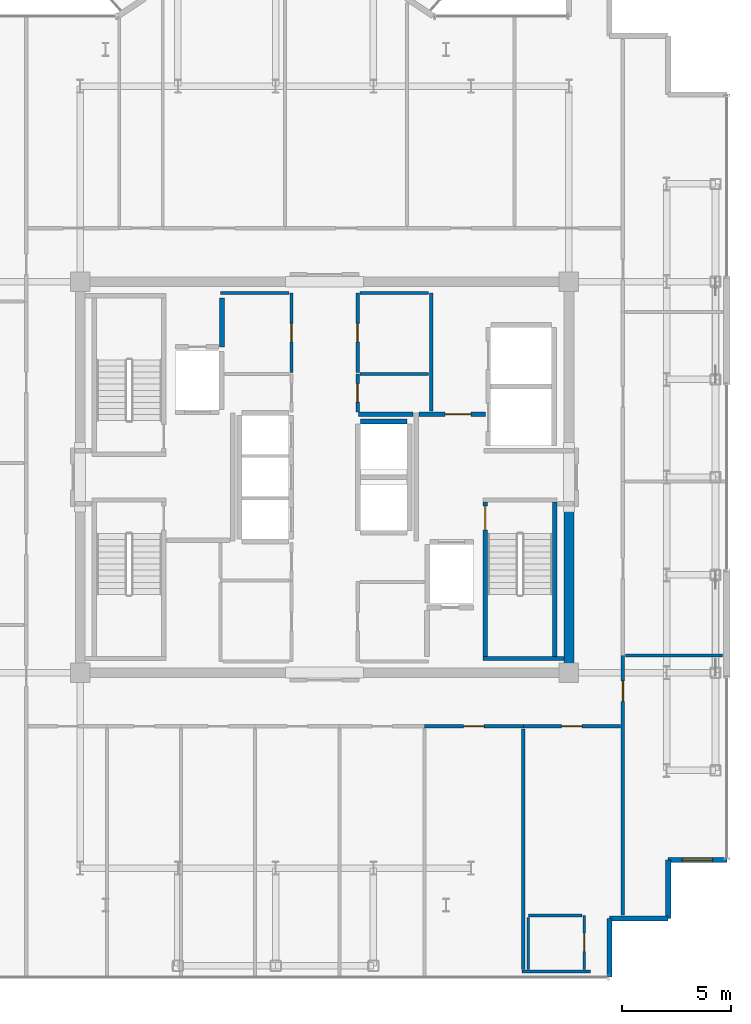
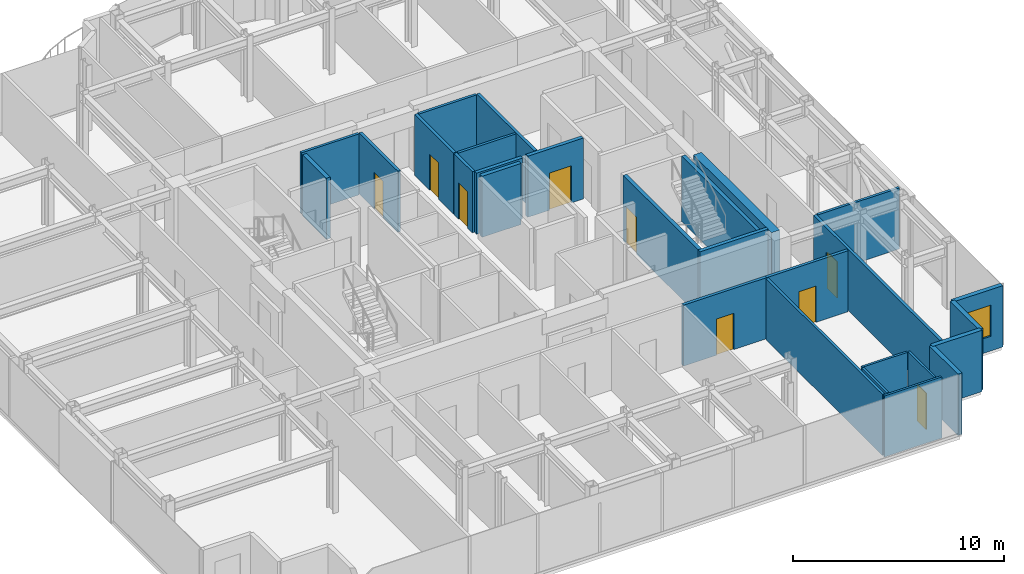
# One storey, part 13 of 16: 28 walls, 9 doors, 1 window, 10 openings.
"""IFC4 building model written with IfcOpenShell, lengths in metres."""

from ifc_helpers import new_model, si_unit, direction, frame, frame_2d, origin, place, context, subcontext, project, spatial, rectangle, extrude, source, transform, mapped, material, layer, layer_set, type_object, element, fill, save


model = new_model("IFC4")

# Units and contexts
model_context = context("Model", 3, precision=1e-05, world=origin(), true_north=direction((0.0, 1.0)))
body_context = subcontext(model_context, "Body", "Model", "MODEL_VIEW")
ifc_project = project(units=[si_unit("LENGTHUNIT", "METRE"), si_unit("AREAUNIT", "SQUARE_METRE"), si_unit("VOLUMEUNIT", "CUBIC_METRE"), si_unit("PLANEANGLEUNIT", "RADIAN"), si_unit("MASSUNIT", "GRAM", prefix="KILO")], contexts=[model_context])

# Site, building, storey
site_placement = place(None, origin())
site = spatial("IfcSite", under=ifc_project, at=site_placement, CompositionType="ELEMENT")
building_placement = place(site_placement, origin())
building = spatial("IfcBuilding", under=site, at=building_placement, Name="Nefas-Gora Pilgrimage Tower", CompositionType="ELEMENT")
storey_placement = place(building_placement, frame((0.0, 0.0, 310.199951171875)))
storey = spatial("IfcBuildingStorey", under=building, at=storey_placement, Name="L78", CompositionType="ELEMENT", Elevation=310.199951171875)

# Wall
ifc_material_1 = material(Name="Concrete C50/60", Category="concrete")
ifc_layer_1 = layer(ifc_material_1, 0.449951171875)
ifc_layer_set_1 = layer_set([ifc_layer_1], Name="Concrete C50/60")
wall_type_1 = type_object("IfcWallType", Name="SW-CORE-450", PredefinedType="SHEAR", material=ifc_layer_set_1)
shared_shape_1 = source(origin(), body_context, "Body", "SweptSolid", [
    extrude(rectangle(XDim=7.4248046875, YDim=0.449951171875, at=frame_2d((3.71240234375, 0.0))), origin(), (0.0, 0.0, 1.0), 3.800048828125),
])
wall_1_placement = place(storey_placement, frame((11.25, -8.77490234375, 0.0), z_axis=(0.0, 0.0, 1.0), x_axis=(0.0, 1.0, 0.0)))
element("IfcWall", 1, at=wall_1_placement, inside=storey, type_object=wall_type_1, Name="L78 Core Shear Wall E-South", PredefinedType="SHEAR", context=body_context, shape_type="MappedRepresentation", body=[
    mapped(shared_shape_1, transform((0.0, 0.0, 0.0), x_axis=(1.0, 0.0, 0.0), y_axis=(0.0, 1.0, 0.0), z_axis=(0.0, 0.0, 1.0), scale=1.0)),
])

# Wall, opening, window
ifc_material_2 = material(Name="Precast concrete C45/55", Category="concrete")
ifc_layer_2 = layer(ifc_material_2, 0.239990234375)
ifc_layer_set_2 = layer_set([ifc_layer_2], Name="Precast concrete C45/55")
wall_type_2 = type_object("IfcWallType", Name="EW-SERR-240", PredefinedType="SHEAR", material=ifc_layer_set_2)
shared_shape_2 = source(origin(), body_context, "Body", "SweptSolid", [
    extrude(rectangle(XDim=2.699951171875, YDim=0.239990234375, at=frame_2d((1.35009765625, 0.0))), origin(), (0.0, 0.0, 1.0), 3.550048828125),
])
wall_2_placement = place(storey_placement, frame((15.820068359375, -17.6201171875, 0.0), z_axis=(0.0, 0.0, 1.0), x_axis=(1.0, 0.0, 0.0)))
wall_2 = element("IfcWall", 2, at=wall_2_placement, inside=storey, type_object=wall_type_2, Name="L78 Serrated Corner Shear Pier Wall 5", PredefinedType="SHEAR", context=body_context, shape_type="MappedRepresentation", body=[
    mapped(shared_shape_2, transform((0.0, 0.0, 0.0), x_axis=(1.0, 0.0, 0.0), y_axis=(0.0, 1.0, 0.0), z_axis=(0.0, 0.0, 1.0), scale=1.0)),
])
opening_1_placement = place(wall_2_placement, frame((0.64990234375, 0.0, 0.85009765625)))
opening_1 = element("IfcOpeningElement", 3, at=opening_1_placement, cuts=wall_2, Name="Opening W-V2", PredefinedType="OPENING", context=body_context, shape_type="SweptSolid", body=[
    extrude(rectangle(XDim=1.39990234375, YDim=1.800048828125, at=frame_2d((0.699951171875, 0.89990234375))), frame((0.0, 0.1298828125, 0.0), z_axis=(0.0, -1.0, 0.0), x_axis=(1.0, 0.0, 0.0)), (0.0, 0.0, 1.0), 0.260009765625),
])
ifc_material_3 = material(Name="Dark ceramic-fritted operable aluminium-glass window", Category="aluminium")
window_type = type_object("IfcWindowType", Name="WIN-VENT-1400x1800", PartitioningType="SINGLE_PANEL", PredefinedType="WINDOW", material=ifc_material_3)
shared_shape_3 = source(origin(), body_context, "Body", "SweptSolid", [
    extrude(rectangle(XDim=1.39990234375, YDim=1.800048828125, at=frame_2d((0.699951171875, 0.89990234375))), frame((0.0, 0.030029296875, 0.0), z_axis=(0.0, -1.0, 0.0), x_axis=(1.0, 0.0, 0.0)), (0.0, 0.0, 1.0), 0.06005859375),
])
window_placement = place(opening_1_placement, origin())
window = element("IfcWindow", 4, at=window_placement, inside=storey, type_object=window_type, Name="L78 Operable Parallel-Outswing Window 5", OverallHeight=1.800048828125, OverallWidth=1.39990234375, PartitioningType="SINGLE_PANEL", PredefinedType="WINDOW", context=body_context, shape_type="MappedRepresentation", body=[
    mapped(shared_shape_3, transform((0.0, 0.0, 0.0), x_axis=(1.0, 0.0, 0.0), y_axis=(0.0, 1.0, 0.0), z_axis=(0.0, 0.0, 1.0), scale=1.0)),
])
fill(opening_1, window)

# Walls
for number, where, z_axis, x_axis, name in (
    (5, (13.1201171875, -23.02001953125, 0.0), (0.0, 0.0, 1.0), (0.0, 1.0, 0.0), "L78 Serrated Corner Shear Pier Wall 29"),
    (6, (13.1201171875, -20.320068359375, 0.0), (0.0, 0.0, 1.0), (1.0, 0.0, 0.0), "L78 Serrated Corner Shear Pier Wall 30"),
    (7, (15.820068359375, -20.320068359375, 0.0), (0.0, 0.0, 1.0), (0.0, 1.0, 0.0), "L78 Serrated Corner Shear Pier Wall 31"),
):
    element("IfcWall", number, at=place(storey_placement, frame(where, z_axis=z_axis, x_axis=x_axis)), inside=storey, type_object=wall_type_2, Name=name, PredefinedType="SHEAR", context=body_context, shape_type="MappedRepresentation", body=[
        mapped(shared_shape_2, transform((0.0, 0.0, 0.0), x_axis=(1.0, 0.0, 0.0), y_axis=(0.0, 1.0, 0.0), z_axis=(0.0, 0.0, 1.0), scale=1.0)),
    ])

# Wall, opening, door
ifc_material_4 = material(Name="Concrete C45/55", Category="concrete")
ifc_layer_3 = layer(ifc_material_4, 0.199951171875)
ifc_layer_set_3 = layer_set([ifc_layer_3], Name="Concrete C45/55")
wall_type_3 = type_object("IfcWallType", Name="IW-STAIR-200", PredefinedType="SOLIDWALL", material=ifc_layer_set_3)
shared_shape_4 = source(origin(), body_context, "Body", "SweptSolid", [
    extrude(rectangle(XDim=7.10009765625, YDim=0.199951171875, at=frame_2d((3.550048828125, 0.0))), origin(), (0.0, 0.0, 1.0), 3.800048828125),
])
wall_3_placement = place(storey_placement, frame((7.39990234375, -1.14990234375, 0.0), z_axis=(0.0, 0.0, 1.0), x_axis=(0.0, -1.0, 0.0)))
wall_3 = element("IfcWall", 8, at=wall_3_placement, inside=storey, type_object=wall_type_3, Name="L78 Stairwell Shear Wall ST-02-left", PredefinedType="SOLIDWALL", context=body_context, shape_type="MappedRepresentation", body=[
    mapped(shared_shape_4, transform((0.0, 0.0, 0.0), x_axis=(1.0, 0.0, 0.0), y_axis=(0.0, 1.0, 0.0), z_axis=(0.0, 0.0, 1.0), scale=1.0)),
])
opening_2_placement = place(wall_3_placement, frame((0.179931640625, 0.0, 0.0)))
opening_2 = element("IfcOpeningElement", 9, at=opening_2_placement, cuts=wall_3, Name="Opening ID-ST1", PredefinedType="OPENING", context=body_context, shape_type="SweptSolid", body=[
    extrude(rectangle(XDim=1.10009765625, YDim=2.14990234375, at=frame_2d((0.550048828125, 1.074951171875))), frame((0.0, 0.10986328125, 0.0), z_axis=(0.0, -1.0, 0.0), x_axis=(1.0, 0.0, 0.0)), (0.0, 0.0, 1.0), 0.219970703125),
])
ifc_material_5 = material(Name="Painted galvanised steel fire stair door", Category="steel")
door_type_1 = type_object("IfcDoorType", Name="DR-INT-STAIR-1100", OperationType="NOTDEFINED", PredefinedType="DOOR", material=ifc_material_5)
shared_shape_5 = source(origin(), body_context, "Body", "SweptSolid", [
    extrude(rectangle(XDim=1.10009765625, YDim=2.14990234375, at=frame_2d((0.550048828125, 1.074951171875))), frame((0.0, 0.02490234375, 0.0), z_axis=(0.0, -1.0, 0.0), x_axis=(1.0, 0.0, 0.0)), (0.0, 0.0, 1.0), 0.050048828125),
])
door_1_placement = place(opening_2_placement, origin())
door_1 = element("IfcDoor", 10, at=door_1_placement, inside=storey, type_object=door_type_1, Name="L78 Protected Exit Stair Door ST-02", OperationType="SINGLE_SWING_LEFT", OverallHeight=2.14990234375, OverallWidth=1.10009765625, PredefinedType="DOOR", context=body_context, shape_type="MappedRepresentation", body=[
    mapped(shared_shape_5, transform((0.0, 0.0, 0.0), x_axis=(1.0, 0.0, 0.0), y_axis=(0.0, 1.0, 0.0), z_axis=(0.0, 0.0, 1.0), scale=1.0)),
])
fill(opening_2, door_1)

# Walls
wall_4_placement = place(storey_placement, frame((10.60009765625, -1.14990234375, 0.0), z_axis=(0.0, 0.0, 1.0), x_axis=(0.0, -1.0, 0.0)))
element("IfcWall", 11, at=wall_4_placement, inside=storey, type_object=wall_type_3, Name="L78 Stairwell Shear Wall ST-02-right", PredefinedType="SOLIDWALL", context=body_context, shape_type="MappedRepresentation", body=[
    mapped(shared_shape_4, transform((0.0, 0.0, 0.0), x_axis=(1.0, 0.0, 0.0), y_axis=(0.0, 1.0, 0.0), z_axis=(0.0, 0.0, 1.0), scale=1.0)),
])
shared_shape_6 = source(origin(), body_context, "Body", "SweptSolid", [
    extrude(rectangle(XDim=3.72998046875, YDim=0.199951171875, at=frame_2d((1.864990234375, 0.0))), origin(), (0.0, 0.0, 1.0), 3.800048828125),
])
wall_5_placement = place(storey_placement, frame((7.300048828125, -8.35009765625, 0.0), z_axis=(0.0, 0.0, 1.0), x_axis=(1.0, 0.0, 0.0)))
element("IfcWall", 12, at=wall_5_placement, inside=storey, type_object=wall_type_3, Name="L78 Stairwell Shear Wall ST-02-far", PredefinedType="SOLIDWALL", context=body_context, shape_type="MappedRepresentation", body=[
    mapped(shared_shape_6, transform((0.0, 0.0, 0.0), x_axis=(1.0, 0.0, 0.0), y_axis=(0.0, 1.0, 0.0), z_axis=(0.0, 0.0, 1.0), scale=1.0)),
])
ifc_material_6 = material(Name="Concrete C40/50", Category="concrete")
ifc_layer_4 = layer(ifc_material_6, 0.219970703125)
ifc_layer_set_4 = layer_set([ifc_layer_4], Name="Concrete C40/50")
wall_type_4 = type_object("IfcWallType", Name="IW-SHAFT-220", PredefinedType="SOLIDWALL", material=ifc_layer_set_4)
shared_shape_7 = source(origin(), body_context, "Body", "SweptSolid", [
    extrude(rectangle(XDim=2.130126953125, YDim=0.219970703125, at=frame_2d((1.06494140625, 0.0))), origin(), (0.0, 0.0, 1.0), 3.53515625),
])
wall_6_placement = place(storey_placement, frame((3.7900390625, 2.56005859375, 0.0), z_axis=(0.0, 0.0, 1.0), x_axis=(-1.0, 0.0, 0.0)))
element("IfcWall", 13, at=wall_6_placement, inside=storey, type_object=wall_type_4, Name="L78 Hoistway Wall OBS-02-N", PredefinedType="SOLIDWALL", context=body_context, shape_type="MappedRepresentation", body=[
    mapped(shared_shape_7, transform((0.0, 0.0, 0.0), x_axis=(1.0, 0.0, 0.0), y_axis=(0.0, 1.0, 0.0), z_axis=(0.0, 0.0, 1.0), scale=1.0)),
])

# Wall, opening, door
ifc_material_7 = material(Name="Gypsum fire-rated shaftwall")
ifc_layer_5 = layer(ifc_material_7, 0.199951171875)
ifc_layer_set_5 = layer_set([ifc_layer_5], Name="Gypsum fire-rated shaftwall")
wall_type_5 = type_object("IfcWallType", Name="IW-FFLOB-200", PredefinedType="PARTITIONING", material=ifc_layer_set_5)
shared_shape_8 = source(origin(), body_context, "Body", "SweptSolid", [
    extrude(rectangle(XDim=3.039794921875, YDim=0.199951171875, at=frame_2d((1.52001953125, 0.0))), origin(), (0.0, 0.0, 1.0), 3.53515625),
])
wall_7_placement = place(storey_placement, frame((4.360107421875, 2.89990234375, 0.0), z_axis=(0.0, 0.0, 1.0), x_axis=(1.0, 0.0, 0.0)))
wall_7 = element("IfcWall", 14, at=wall_7_placement, inside=storey, type_object=wall_type_5, Name="L78 FF Lobby East North Wall Wall 13", PredefinedType="PARTITIONING", context=body_context, shape_type="MappedRepresentation", body=[
    mapped(shared_shape_8, transform((0.0, 0.0, 0.0), x_axis=(1.0, 0.0, 0.0), y_axis=(0.0, 1.0, 0.0), z_axis=(0.0, 0.0, 1.0), scale=1.0)),
])
opening_3_placement = place(wall_7_placement, frame((1.18994140625, 0.0, 0.0)))
opening_3 = element("IfcOpeningElement", 15, at=opening_3_placement, cuts=wall_7, Name="Opening ID-PL1", PredefinedType="OPENING", context=body_context, shape_type="SweptSolid", body=[
    extrude(rectangle(XDim=1.199951171875, YDim=2.14990234375, at=frame_2d((0.60009765625, 1.074951171875))), frame((0.0, 0.10986328125, 0.0), z_axis=(0.0, -1.0, 0.0), x_axis=(1.0, 0.0, 0.0)), (0.0, 0.0, 1.0), 0.219970703125),
])
ifc_material_8 = material(Name="Heavy-duty steel plant room fire door", Category="steel")
door_type_2 = type_object("IfcDoorType", Name="DR-INT-PLANT-1200", OperationType="NOTDEFINED", PredefinedType="DOOR", material=ifc_material_8)
shared_shape_9 = source(origin(), body_context, "Body", "SweptSolid", [
    extrude(rectangle(XDim=1.199951171875, YDim=2.14990234375, at=frame_2d((0.60009765625, 1.074951171875))), frame((0.0, 0.02490234375, 0.0), z_axis=(0.0, -1.0, 0.0), x_axis=(1.0, 0.0, 0.0)), (0.0, 0.0, 1.0), 0.050048828125),
])
door_2_placement = place(opening_3_placement, origin())
door_2 = element("IfcDoor", 16, at=door_2_placement, inside=storey, type_object=door_type_2, Name="L78 Service Lift Lobby Door Door 5", OperationType="SINGLE_SWING_RIGHT", OverallHeight=2.14990234375, OverallWidth=1.199951171875, PredefinedType="DOOR", context=body_context, shape_type="MappedRepresentation", body=[
    mapped(shared_shape_9, transform((0.0, 0.0, 0.0), x_axis=(1.0, 0.0, 0.0), y_axis=(0.0, 1.0, 0.0), z_axis=(0.0, 0.0, 1.0), scale=1.0)),
])
fill(opening_3, door_2)

# Walls
ifc_material_9 = material(Name="Gypsum twin-stud partition")
ifc_layer_6 = layer(ifc_material_9, 0.139892578125)
ifc_layer_set_6 = layer_set([ifc_layer_6], Name="Gypsum twin-stud partition")
wall_type_6 = type_object("IfcWallType", Name="IW-UNIT-140", PredefinedType="PARTITIONING", material=ifc_layer_set_6)
shared_shape_10 = source(origin(), body_context, "Body", "SweptSolid", [
    extrude(rectangle(XDim=3.150146484375, YDim=0.139892578125, at=frame_2d((1.5751953125, 0.0))), origin(), (0.0, 0.0, 1.0), 3.53515625),
])
for number, where, z_axis, x_axis, name in (
    (17, (-4.7900390625, 8.47998046875, 0.0), (0.0, 0.0, 1.0), (1.0, 0.0, 0.0), "L78 Archival Supply Store Partition Wall 26"),
    (18, (1.639892578125, 4.75, 0.0), (0.0, 0.0, 1.0), (1.0, 0.0, 0.0), "L78 Clean Blanket and Robe Store Partition Wall 28"),
    (19, (1.639892578125, 8.47998046875, 0.0), (0.0, 0.0, 1.0), (1.0, 0.0, 0.0), "L78 Amenity Supply Store Partition Wall 30"),
):
    element("IfcWall", number, at=place(storey_placement, frame(where, z_axis=z_axis, x_axis=x_axis)), inside=storey, type_object=wall_type_6, Name=name, PredefinedType="PARTITIONING", context=body_context, shape_type="MappedRepresentation", body=[
        mapped(shared_shape_10, transform((0.0, 0.0, 0.0), x_axis=(1.0, 0.0, 0.0), y_axis=(0.0, 1.0, 0.0), z_axis=(0.0, 0.0, 1.0), scale=1.0)),
    ])
shared_shape_11 = source(origin(), body_context, "Body", "SweptSolid", [
    extrude(rectangle(XDim=2.25, YDim=0.219970703125, at=frame_2d((1.125, 0.0))), origin(), (0.0, 0.0, 1.0), 3.53515625),
])
wall_8_placement = place(storey_placement, frame((-4.719970703125, 6.0, 0.0), z_axis=(0.0, 0.0, 1.0), x_axis=(0.0, 1.0, 0.0)))
element("IfcWall", 20, at=wall_8_placement, inside=storey, type_object=wall_type_4, Name="L78 Riser Shaft Wall 1", PredefinedType="SOLIDWALL", context=body_context, shape_type="MappedRepresentation", body=[
    mapped(shared_shape_11, transform((0.0, 0.0, 0.0), x_axis=(1.0, 0.0, 0.0), y_axis=(0.0, 1.0, 0.0), z_axis=(0.0, 0.0, 1.0), scale=1.0)),
])
shared_shape_12 = source(origin(), body_context, "Body", "SweptSolid", [
    extrude(rectangle(XDim=2.52001953125, YDim=0.199951171875, at=frame_2d((1.260009765625, 0.0))), origin(), (0.0, 0.0, 1.0), 3.53515625),
])
wall_9_placement = place(storey_placement, frame((1.56005859375, 2.89990234375, 0.0), z_axis=(0.0, 0.0, 1.0), x_axis=(1.0, 0.0, 0.0)))
element("IfcWall", 21, at=wall_9_placement, inside=storey, type_object=wall_type_5, Name="L78 FF Lobby East North Wall Wall 12", PredefinedType="PARTITIONING", context=body_context, shape_type="MappedRepresentation", body=[
    mapped(shared_shape_12, transform((0.0, 0.0, 0.0), x_axis=(1.0, 0.0, 0.0), y_axis=(0.0, 1.0, 0.0), z_axis=(0.0, 0.0, 1.0), scale=1.0)),
])
ifc_material_10 = material(Name="Gypsum acoustic stud partition")
ifc_layer_7 = layer(ifc_material_10, 0.159912109375)
ifc_layer_set_7 = layer_set([ifc_layer_7], Name="Gypsum acoustic stud partition")
wall_type_7 = type_object("IfcWallType", Name="IW-CORR-160", PredefinedType="PARTITIONING", material=ifc_layer_set_7)
shared_shape_13 = source(origin(), body_context, "Body", "SweptSolid", [
    extrude(rectangle(XDim=5.449951171875, YDim=0.159912109375, at=frame_2d((2.72509765625, 0.0))), origin(), (0.0, 0.0, 1.0), 3.53515625),
])
wall_10_placement = place(storey_placement, frame((4.919921875, 3.0400390625, 0.0), z_axis=(0.0, 0.0, 1.0), x_axis=(0.0, 1.0, 0.0)))
element("IfcWall", 22, at=wall_10_placement, inside=storey, type_object=wall_type_7, Name="L78 Service Lift Lobby West Wall Wall 18", PredefinedType="PARTITIONING", context=body_context, shape_type="MappedRepresentation", body=[
    mapped(shared_shape_13, transform((0.0, 0.0, 0.0), x_axis=(1.0, 0.0, 0.0), y_axis=(0.0, 1.0, 0.0), z_axis=(0.0, 0.0, 1.0), scale=1.0)),
])

# Wall, opening, door
shared_shape_14 = source(origin(), body_context, "Body", "SweptSolid", [
    extrude(rectangle(XDim=1.75, YDim=0.159912109375, at=frame_2d((0.875, 0.0))), origin(), (0.0, 0.0, 1.0), 3.53515625),
])
wall_11_placement = place(storey_placement, frame((1.52001953125, 3.010009765625, 0.0), z_axis=(0.0, 0.0, 1.0), x_axis=(0.0, 1.0, 0.0)))
wall_11 = element("IfcWall", 23, at=wall_11_placement, inside=storey, type_object=wall_type_7, Name="L78 Clean Blanket and Robe Store Wall 27", PredefinedType="PARTITIONING", context=body_context, shape_type="MappedRepresentation", body=[
    mapped(shared_shape_14, transform((0.0, 0.0, 0.0), x_axis=(1.0, 0.0, 0.0), y_axis=(0.0, 1.0, 0.0), z_axis=(0.0, 0.0, 1.0), scale=1.0)),
])
opening_4_placement = place(wall_11_placement, frame((0.449951171875, 0.0, 0.0)))
opening_4 = element("IfcOpeningElement", 24, at=opening_4_placement, cuts=wall_11, Name="Opening ID-BT1", PredefinedType="OPENING", context=body_context, shape_type="SweptSolid", body=[
    extrude(rectangle(XDim=0.85009765625, YDim=2.10009765625, at=frame_2d((0.425048828125, 1.050048828125))), frame((0.0, 0.08984375, 0.0), z_axis=(0.0, -1.0, 0.0), x_axis=(1.0, 0.0, 0.0)), (0.0, 0.0, 1.0), 0.179931640625),
])
ifc_material_11 = material(Name="Moisture-resistant fire-rated timber door", Category="wood")
door_type_3 = type_object("IfcDoorType", Name="DR-INT-BATH-850", OperationType="NOTDEFINED", PredefinedType="DOOR", material=ifc_material_11)
shared_shape_15 = source(origin(), body_context, "Body", "SweptSolid", [
    extrude(rectangle(XDim=0.85009765625, YDim=2.10009765625, at=frame_2d((0.425048828125, 1.050048828125))), frame((0.0, 0.02490234375, 0.0), z_axis=(0.0, -1.0, 0.0), x_axis=(1.0, 0.0, 0.0)), (0.0, 0.0, 1.0), 0.050048828125),
])
door_3_placement = place(opening_4_placement, origin())
door_3 = element("IfcDoor", 25, at=door_3_placement, inside=storey, type_object=door_type_3, Name="L78 Clean Blanket and Robe Store Door 11", OperationType="SINGLE_SWING_RIGHT", OverallHeight=2.10009765625, OverallWidth=0.85009765625, PredefinedType="DOOR", context=body_context, shape_type="MappedRepresentation", body=[
    mapped(shared_shape_15, transform((0.0, 0.0, 0.0), x_axis=(1.0, 0.0, 0.0), y_axis=(0.0, 1.0, 0.0), z_axis=(0.0, 0.0, 1.0), scale=1.0)),
])
fill(opening_4, door_3)

shared_shape_16 = source(origin(), body_context, "Body", "SweptSolid", [
    extrude(rectangle(XDim=3.679931640625, YDim=0.159912109375, at=frame_2d((1.83984375, 0.0))), origin(), (0.0, 0.0, 1.0), 3.53515625),
])
wall_12_placement = place(storey_placement, frame((-1.52001953125, 4.81005859375, 0.0), z_axis=(0.0, 0.0, 1.0), x_axis=(0.0, 1.0, 0.0)))
wall_12 = element("IfcWall", 26, at=wall_12_placement, inside=storey, type_object=wall_type_7, Name="L78 Archival Supply Store Wall 25", PredefinedType="PARTITIONING", context=body_context, shape_type="MappedRepresentation", body=[
    mapped(shared_shape_16, transform((0.0, 0.0, 0.0), x_axis=(1.0, 0.0, 0.0), y_axis=(0.0, 1.0, 0.0), z_axis=(0.0, 0.0, 1.0), scale=1.0)),
])
opening_5_placement = place(wall_12_placement, frame((1.4150390625, 0.0, 0.0)))
opening_5 = element("IfcOpeningElement", 27, at=opening_5_placement, cuts=wall_12, Name="Opening ID-BT1", PredefinedType="OPENING", context=body_context, shape_type="SweptSolid", body=[
    extrude(rectangle(XDim=0.85009765625, YDim=2.10009765625, at=frame_2d((0.425048828125, 1.050048828125))), frame((0.0, 0.08984375, 0.0), z_axis=(0.0, -1.0, 0.0), x_axis=(1.0, 0.0, 0.0)), (0.0, 0.0, 1.0), 0.179931640625),
])
door_4_placement = place(opening_5_placement, origin())
door_4 = element("IfcDoor", 28, at=door_4_placement, inside=storey, type_object=door_type_3, Name="L78 Archival Supply Store Door 10", OperationType="SINGLE_SWING_LEFT", OverallHeight=2.10009765625, OverallWidth=0.85009765625, PredefinedType="DOOR", context=body_context, shape_type="MappedRepresentation", body=[
    mapped(shared_shape_15, transform((0.0, 0.0, 0.0), x_axis=(1.0, 0.0, 0.0), y_axis=(0.0, 1.0, 0.0), z_axis=(0.0, 0.0, 1.0), scale=1.0)),
])
fill(opening_5, door_4)

wall_13_placement = place(storey_placement, frame((1.52001953125, 4.81005859375, 0.0), z_axis=(0.0, 0.0, 1.0), x_axis=(0.0, 1.0, 0.0)))
wall_13 = element("IfcWall", 29, at=wall_13_placement, inside=storey, type_object=wall_type_7, Name="L78 Amenity Supply Store Wall 29", PredefinedType="PARTITIONING", context=body_context, shape_type="MappedRepresentation", body=[
    mapped(shared_shape_16, transform((0.0, 0.0, 0.0), x_axis=(1.0, 0.0, 0.0), y_axis=(0.0, 1.0, 0.0), z_axis=(0.0, 0.0, 1.0), scale=1.0)),
])
opening_6_placement = place(wall_13_placement, frame((1.4150390625, 0.0, 0.0)))
opening_6 = element("IfcOpeningElement", 30, at=opening_6_placement, cuts=wall_13, Name="Opening ID-BT1", PredefinedType="OPENING", context=body_context, shape_type="SweptSolid", body=[
    extrude(rectangle(XDim=0.85009765625, YDim=2.10009765625, at=frame_2d((0.425048828125, 1.050048828125))), frame((0.0, 0.08984375, 0.0), z_axis=(0.0, -1.0, 0.0), x_axis=(1.0, 0.0, 0.0)), (0.0, 0.0, 1.0), 0.179931640625),
])
door_5_placement = place(opening_6_placement, origin())
door_5 = element("IfcDoor", 31, at=door_5_placement, inside=storey, type_object=door_type_3, Name="L78 Amenity Supply Store Door 12", OperationType="SINGLE_SWING_LEFT", OverallHeight=2.10009765625, OverallWidth=0.85009765625, PredefinedType="DOOR", context=body_context, shape_type="MappedRepresentation", body=[
    mapped(shared_shape_15, transform((0.0, 0.0, 0.0), x_axis=(1.0, 0.0, 0.0), y_axis=(0.0, 1.0, 0.0), z_axis=(0.0, 0.0, 1.0), scale=1.0)),
])
fill(opening_6, door_5)

# Wall
shared_shape_17 = source(origin(), body_context, "Body", "SweptSolid", [
    extrude(rectangle(XDim=4.469970703125, YDim=0.139892578125, at=frame_2d((2.23486328125, 0.0))), origin(), (0.0, 0.0, 1.0), 3.53515625),
])
wall_14_placement = place(storey_placement, frame((13.860107421875, -8.205078125, 0.0), z_axis=(0.0, 0.0, 1.0), x_axis=(1.0, 0.0, 0.0)))
element("IfcWall", 32, at=wall_14_placement, inside=storey, type_object=wall_type_6, Name="L78 Pilgrim Fellowship Seminar Room Partition Wall 51", PredefinedType="PARTITIONING", context=body_context, shape_type="MappedRepresentation", body=[
    mapped(shared_shape_17, transform((0.0, 0.0, 0.0), x_axis=(1.0, 0.0, 0.0), y_axis=(0.0, 1.0, 0.0), z_axis=(0.0, 0.0, 1.0), scale=1.0)),
])

# Wall, opening, door
ifc_material_12 = material(Name="Moisture-resistant fire-rated gypsum partition")
ifc_layer_8 = layer(ifc_material_12, 0.1201171875)
ifc_layer_set_8 = layer_set([ifc_layer_8], Name="Moisture-resistant fire-rated gypsum partition")
wall_type_8 = type_object("IfcWallType", Name="IW-WET-120", PredefinedType="PLUMBINGWALL", material=ifc_layer_set_8)
shared_shape_18 = source(origin(), body_context, "Body", "SweptSolid", [
    extrude(rectangle(XDim=2.47998046875, YDim=0.1201171875, at=frame_2d((1.239990234375, 0.0))), origin(), (0.0, 0.0, 1.0), 3.53515625),
])
wall_15_placement = place(storey_placement, frame((11.9599609375, -22.659912109375, 0.0), z_axis=(0.0, 0.0, 1.0), x_axis=(0.0, 1.0, 0.0)))
wall_15 = element("IfcWall", 33, at=wall_15_placement, inside=storey, type_object=wall_type_8, Name="L78 En-Suite Bathroom Wall 20", PredefinedType="PLUMBINGWALL", context=body_context, shape_type="MappedRepresentation", body=[
    mapped(shared_shape_18, transform((0.0, 0.0, 0.0), x_axis=(1.0, 0.0, 0.0), y_axis=(0.0, 1.0, 0.0), z_axis=(0.0, 0.0, 1.0), scale=1.0)),
])
opening_7_placement = place(wall_15_placement, frame((0.81494140625, 0.0, 0.0)))
opening_7 = element("IfcOpeningElement", 34, at=opening_7_placement, cuts=wall_15, Name="Opening ID-BT1", PredefinedType="OPENING", context=body_context, shape_type="SweptSolid", body=[
    extrude(rectangle(XDim=0.85009765625, YDim=2.10009765625, at=frame_2d((0.425048828125, 1.050048828125))), frame((0.0, 0.070068359375, 0.0), z_axis=(0.0, -1.0, 0.0), x_axis=(1.0, 0.0, 0.0)), (0.0, 0.0, 1.0), 0.14013671875),
])
door_6_placement = place(opening_7_placement, origin())
door_6 = element("IfcDoor", 35, at=door_6_placement, inside=storey, type_object=door_type_3, Name="L78 En-Suite Bathroom Door 8", OperationType="SINGLE_SWING_LEFT", OverallHeight=2.10009765625, OverallWidth=0.85009765625, PredefinedType="DOOR", context=body_context, shape_type="MappedRepresentation", body=[
    mapped(shared_shape_15, transform((0.0, 0.0, 0.0), x_axis=(1.0, 0.0, 0.0), y_axis=(0.0, 1.0, 0.0), z_axis=(0.0, 0.0, 1.0), scale=1.0)),
])
fill(opening_7, door_6)

# Walls
shared_shape_19 = source(origin(), body_context, "Body", "SweptSolid", [
    extrude(rectangle(XDim=2.3798828125, YDim=0.1201171875, at=frame_2d((1.18994140625, 0.0))), origin(), (0.0, 0.0, 1.0), 3.53515625),
])
wall_16_placement = place(storey_placement, frame((9.3798828125, -22.659912109375, 0.0), z_axis=(0.0, 0.0, 1.0), x_axis=(0.0, 1.0, 0.0)))
element("IfcWall", 36, at=wall_16_placement, inside=storey, type_object=wall_type_8, Name="L78 En-Suite Bathroom Wall 22", PredefinedType="PLUMBINGWALL", context=body_context, shape_type="MappedRepresentation", body=[
    mapped(shared_shape_19, transform((0.0, 0.0, 0.0), x_axis=(1.0, 0.0, 0.0), y_axis=(0.0, 1.0, 0.0), z_axis=(0.0, 0.0, 1.0), scale=1.0)),
])
shared_shape_20 = source(origin(), body_context, "Body", "SweptSolid", [
    extrude(rectangle(XDim=11.06982421875, YDim=0.139892578125, at=frame_2d((5.534912109375, 0.0))), origin(), (0.0, 0.0, 1.0), 3.53515625),
])
wall_17_placement = place(storey_placement, frame((9.14990234375, -22.659912109375, 0.0), z_axis=(0.0, 0.0, 1.0), x_axis=(0.0, 1.0, 0.0)))
element("IfcWall", 37, at=wall_17_placement, inside=storey, type_object=wall_type_6, Name="L78 Pilgrim Contemplative Lounge Partition Wall 76", PredefinedType="PARTITIONING", context=body_context, shape_type="MappedRepresentation", body=[
    mapped(shared_shape_20, transform((0.0, 0.0, 0.0), x_axis=(1.0, 0.0, 0.0), y_axis=(0.0, 1.0, 0.0), z_axis=(0.0, 0.0, 1.0), scale=1.0)),
])
shared_shape_21 = source(origin(), body_context, "Body", "SweptSolid", [
    extrude(rectangle(XDim=3.139892578125, YDim=0.1201171875, at=frame_2d((1.56982421875, 0.0))), origin(), (0.0, 0.0, 1.0), 3.53515625),
])
wall_18_placement = place(storey_placement, frame((9.10009765625, -22.760009765625, 0.0), z_axis=(0.0, 0.0, 1.0), x_axis=(1.0, 0.0, 0.0)))
element("IfcWall", 38, at=wall_18_placement, inside=storey, type_object=wall_type_8, Name="L78 En-Suite Bathroom Wall 19", PredefinedType="PLUMBINGWALL", context=body_context, shape_type="MappedRepresentation", body=[
    mapped(shared_shape_21, transform((0.0, 0.0, 0.0), x_axis=(1.0, 0.0, 0.0), y_axis=(0.0, 1.0, 0.0), z_axis=(0.0, 0.0, 1.0), scale=1.0)),
])
shared_shape_22 = source(origin(), body_context, "Body", "SweptSolid", [
    extrude(rectangle(XDim=2.480224609375, YDim=0.1201171875, at=frame_2d((1.240234375, 0.0))), origin(), (0.0, 0.0, 1.0), 3.53515625),
])
wall_19_placement = place(storey_placement, frame((9.3798828125, -20.179931640625, 0.0), z_axis=(0.0, 0.0, 1.0), x_axis=(1.0, 0.0, 0.0)))
element("IfcWall", 39, at=wall_19_placement, inside=storey, type_object=wall_type_8, Name="L78 En-Suite Bathroom Wall 21", PredefinedType="PLUMBINGWALL", context=body_context, shape_type="MappedRepresentation", body=[
    mapped(shared_shape_22, transform((0.0, 0.0, 0.0), x_axis=(1.0, 0.0, 0.0), y_axis=(0.0, 1.0, 0.0), z_axis=(0.0, 0.0, 1.0), scale=1.0)),
])

# Wall, opening, door
shared_shape_23 = source(origin(), body_context, "Body", "SweptSolid", [
    extrude(rectangle(XDim=11.96484375, YDim=0.159912109375, at=frame_2d((5.982421875, 0.0))), origin(), (0.0, 0.0, 1.0), 3.53515625),
])
wall_20_placement = place(storey_placement, frame((13.739990234375, -20.159912109375, 0.0), z_axis=(0.0, 0.0, 1.0), x_axis=(0.0, 1.0, 0.0)))
wall_20 = element("IfcWall", 40, at=wall_20_placement, inside=storey, type_object=wall_type_7, Name="L78 Pilgrim Fellowship Seminar Room Partition Wall 50", PredefinedType="PARTITIONING", context=body_context, shape_type="MappedRepresentation", body=[
    mapped(shared_shape_23, transform((0.0, 0.0, 0.0), x_axis=(1.0, 0.0, 0.0), y_axis=(0.0, 1.0, 0.0), z_axis=(0.0, 0.0, 1.0), scale=1.0)),
])
opening_8_placement = place(wall_20_placement, frame((9.83251953125, 0.0, 0.0)))
opening_8 = element("IfcOpeningElement", 41, at=opening_8_placement, cuts=wall_20, Name="Opening ID-GR1", PredefinedType="OPENING", context=body_context, shape_type="SweptSolid", body=[
    extrude(rectangle(XDim=0.949951171875, YDim=2.10009765625, at=frame_2d((0.47509765625, 1.050048828125))), frame((0.0, 0.08984375, 0.0), z_axis=(0.0, -1.0, 0.0), x_axis=(1.0, 0.0, 0.0)), (0.0, 0.0, 1.0), 0.179931640625),
])
ifc_material_13 = material(Name="Solid core oak fire-rated guest entrance door")
door_type_4 = type_object("IfcDoorType", Name="DR-INT-GUEST-950", OperationType="NOTDEFINED", PredefinedType="DOOR", material=ifc_material_13)
shared_shape_24 = source(origin(), body_context, "Body", "SweptSolid", [
    extrude(rectangle(XDim=0.949951171875, YDim=2.10009765625, at=frame_2d((0.47509765625, 1.050048828125))), frame((0.0, 0.02490234375, 0.0), z_axis=(0.0, -1.0, 0.0), x_axis=(1.0, 0.0, 0.0)), (0.0, 0.0, 1.0), 0.050048828125),
])
door_7_placement = place(opening_8_placement, origin())
door_7 = element("IfcDoor", 42, at=door_7_placement, inside=storey, type_object=door_type_4, Name="L78 Pilgrim Fellowship Seminar Room Door 21", OperationType="SINGLE_SWING_RIGHT", OverallHeight=2.10009765625, OverallWidth=0.949951171875, PredefinedType="DOOR", context=body_context, shape_type="MappedRepresentation", body=[
    mapped(shared_shape_24, transform((0.0, 0.0, 0.0), x_axis=(1.0, 0.0, 0.0), y_axis=(0.0, 1.0, 0.0), z_axis=(0.0, 0.0, 1.0), scale=1.0)),
])
fill(opening_8, door_7)

shared_shape_25 = source(origin(), body_context, "Body", "SweptSolid", [
    extrude(rectangle(XDim=4.56494140625, YDim=0.159912109375, at=frame_2d((2.282470703125, 0.0))), origin(), (0.0, 0.0, 1.0), 3.53515625),
])
wall_21_placement = place(storey_placement, frame((4.594970703125, -11.469970703125, 0.0), z_axis=(0.0, 0.0, 1.0), x_axis=(1.0, 0.0, 0.0)))
wall_21 = element("IfcWall", 43, at=wall_21_placement, inside=storey, type_object=wall_type_7, Name="L78 Pilgrim Contemplative Lounge Partition Wall 75", PredefinedType="PARTITIONING", context=body_context, shape_type="MappedRepresentation", body=[
    mapped(shared_shape_25, transform((0.0, 0.0, 0.0), x_axis=(1.0, 0.0, 0.0), y_axis=(0.0, 1.0, 0.0), z_axis=(0.0, 0.0, 1.0), scale=1.0)),
])
opening_9_placement = place(wall_21_placement, frame((1.8076171875, 0.0, 0.0)))
opening_9 = element("IfcOpeningElement", 44, at=opening_9_placement, cuts=wall_21, Name="Opening ID-GR1", PredefinedType="OPENING", context=body_context, shape_type="SweptSolid", body=[
    extrude(rectangle(XDim=0.949951171875, YDim=2.10009765625, at=frame_2d((0.47509765625, 1.050048828125))), frame((0.0, 0.08984375, 0.0), z_axis=(0.0, -1.0, 0.0), x_axis=(1.0, 0.0, 0.0)), (0.0, 0.0, 1.0), 0.179931640625),
])
door_8_placement = place(opening_9_placement, origin())
door_8 = element("IfcDoor", 45, at=door_8_placement, inside=storey, type_object=door_type_4, Name="L78 Pilgrim Contemplative Lounge Door 35", OperationType="SINGLE_SWING_RIGHT", OverallHeight=2.10009765625, OverallWidth=0.949951171875, PredefinedType="DOOR", context=body_context, shape_type="MappedRepresentation", body=[
    mapped(shared_shape_24, transform((0.0, 0.0, 0.0), x_axis=(1.0, 0.0, 0.0), y_axis=(0.0, 1.0, 0.0), z_axis=(0.0, 0.0, 1.0), scale=1.0)),
])
fill(opening_9, door_8)

shared_shape_26 = source(origin(), body_context, "Body", "SweptSolid", [
    extrude(rectangle(XDim=4.460205078125, YDim=0.159912109375, at=frame_2d((2.22998046875, 0.0))), origin(), (0.0, 0.0, 1.0), 3.53515625),
])
wall_22_placement = place(storey_placement, frame((9.159912109375, -11.469970703125, 0.0), z_axis=(0.0, 0.0, 1.0), x_axis=(1.0, 0.0, 0.0)))
wall_22 = element("IfcWall", 46, at=wall_22_placement, inside=storey, type_object=wall_type_7, Name="L78 Pilgrim Sanctuary Suite Partition Wall 77", PredefinedType="PARTITIONING", context=body_context, shape_type="MappedRepresentation", body=[
    mapped(shared_shape_26, transform((0.0, 0.0, 0.0), x_axis=(1.0, 0.0, 0.0), y_axis=(0.0, 1.0, 0.0), z_axis=(0.0, 0.0, 1.0), scale=1.0)),
])
opening_10_placement = place(wall_22_placement, frame((1.7548828125, 0.0, 0.0)))
opening_10 = element("IfcOpeningElement", 47, at=opening_10_placement, cuts=wall_22, Name="Opening ID-GR1", PredefinedType="OPENING", context=body_context, shape_type="SweptSolid", body=[
    extrude(rectangle(XDim=0.949951171875, YDim=2.10009765625, at=frame_2d((0.47509765625, 1.050048828125))), frame((0.0, 0.08984375, 0.0), z_axis=(0.0, -1.0, 0.0), x_axis=(1.0, 0.0, 0.0)), (0.0, 0.0, 1.0), 0.179931640625),
])
door_9_placement = place(opening_10_placement, origin())
door_9 = element("IfcDoor", 48, at=door_9_placement, inside=storey, type_object=door_type_4, Name="L78 Pilgrim Sanctuary Suite Door 36", OperationType="SINGLE_SWING_LEFT", OverallHeight=2.10009765625, OverallWidth=0.949951171875, PredefinedType="DOOR", context=body_context, shape_type="MappedRepresentation", body=[
    mapped(shared_shape_24, transform((0.0, 0.0, 0.0), x_axis=(1.0, 0.0, 0.0), y_axis=(0.0, 1.0, 0.0), z_axis=(0.0, 0.0, 1.0), scale=1.0)),
])
fill(opening_10, door_9)

save(model, "model.ifc")
